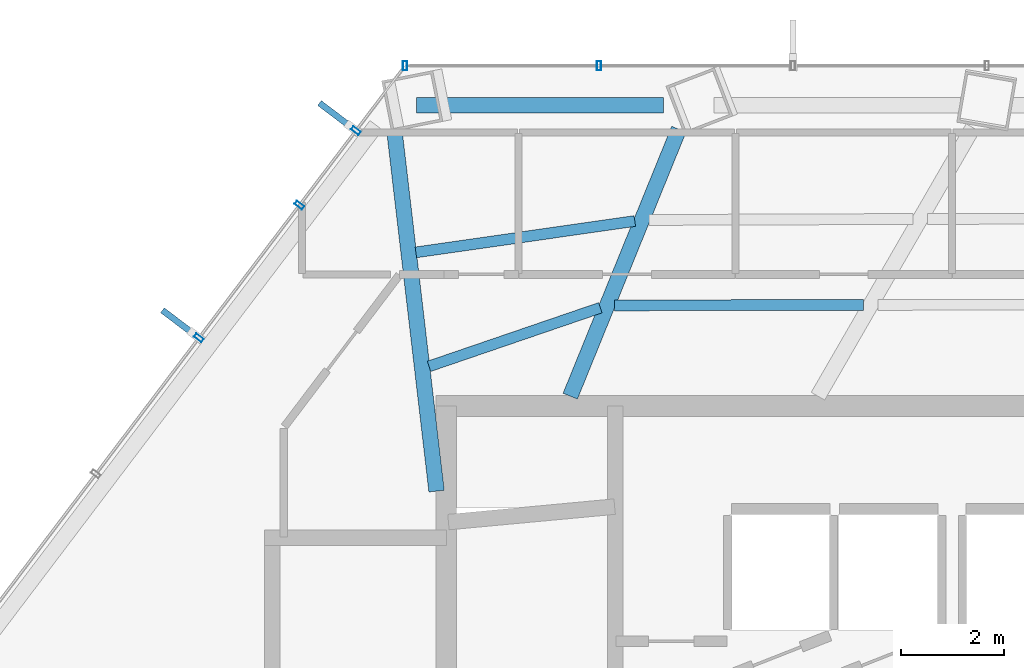
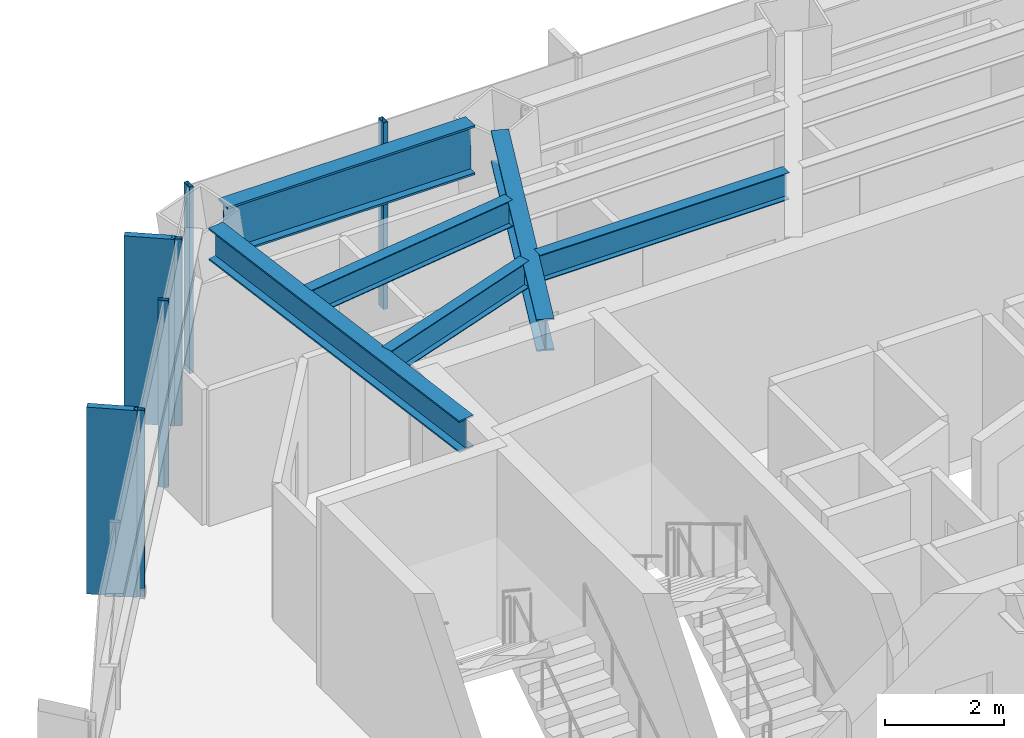
# One storey, part 14 of 27: 7 members, 6 beams, 2 elements without a shape of their own.
"""IFC4 building model written with IfcOpenShell, lengths in metres."""

from ifc_helpers import new_model, si_unit, direction, frame, origin, origin_2d, place, context, subcontext, project, spatial, rectangle, hollow_rectangle, i_section, extrude, material, layer, layer_set, material_profile, profile_set, type_object, element, aggregate, save


model = new_model("IFC4")

# Units and contexts
model_context = context("Model", 3, precision=1e-05, world=origin(), true_north=direction((0.0, 1.0)))
body_context = subcontext(model_context, "Body", "Model", "MODEL_VIEW")
ifc_project = project(units=[si_unit("LENGTHUNIT", "METRE"), si_unit("AREAUNIT", "SQUARE_METRE"), si_unit("VOLUMEUNIT", "CUBIC_METRE"), si_unit("PLANEANGLEUNIT", "RADIAN"), si_unit("MASSUNIT", "GRAM", prefix="KILO")], contexts=[model_context])

# Site, building, storey
site_placement = place(None, origin())
site = spatial("IfcSite", under=ifc_project, at=site_placement, CompositionType="ELEMENT")
building_placement = place(site_placement, origin())
building = spatial("IfcBuilding", under=site, at=building_placement, Name="Zarrinselat Tower", CompositionType="ELEMENT")
storey_placement = place(building_placement, frame((0.0, 0.0, 47.93994140625)))
storey = spatial("IfcBuildingStorey", under=building, at=storey_placement, Name="L11", CompositionType="ELEMENT", Elevation=47.93994140625)

# Beams
ifc_material_1 = material(Name="Steel S355J2", Category="steel")
ifc_material_profile_1 = material_profile(ifc_material_1, i_section(OverallWidth=0.300048828125, OverallDepth=0.64990234375, WebThickness=0.01611328125, FlangeThickness=0.031005859375, at=origin_2d()), Name="HEB 650")
ifc_profile_set_1 = profile_set([ifc_material_profile_1], Name="Steel S355J2")
beam_type_1 = type_object("IfcBeamType", Name="BM-HEB650", PredefinedType="BEAM", material=ifc_profile_set_1)
beam_1_placement = place(storey_placement, frame((31.0, 43.639892578125, 3.4951171875), z_axis=(0.376953879206, 0.926232029759, 0.0), x_axis=(-0.926232029759, 0.376953879206, 0.0)))
element("IfcBeam", 1, at=beam_1_placement, inside=storey, type_object=beam_type_1, Name="L11 Radial Primary Girder RG04", PredefinedType="BEAM", context=body_context, shape_type="SweptSolid", body=[
    extrude(i_section(OverallWidth=0.300048828125, OverallDepth=0.64990234375, WebThickness=0.01611328125, FlangeThickness=0.031005859375, at=origin_2d()), origin(), (0.0, 0.0, 1.0), 5.584716796875),
])
beam_2_placement = place(storey_placement, frame((27.593017578125, 48.779296875, 3.4951171875), z_axis=(0.116252599086, -0.993219680235, 0.0), x_axis=(0.993219680235, 0.116252599086, 0.0)))
element("IfcBeam", 2, at=beam_2_placement, inside=storey, type_object=beam_type_1, Name="L11 Radial Primary Girder RG05", PredefinedType="BEAM", context=body_context, shape_type="SweptSolid", body=[
    extrude(i_section(OverallWidth=0.300048828125, OverallDepth=0.64990234375, WebThickness=0.01611328125, FlangeThickness=0.031005859375, at=origin_2d()), origin(), (0.0, 0.0, 1.0), 7.02685546875),
])
ifc_material_2 = material(Name="Steel S460M", Category="steel")
ifc_material_profile_2 = material_profile(ifc_material_2, i_section(OverallWidth=0.302001953125, OverallDepth=1.008056640625, WebThickness=0.02099609375, FlangeThickness=0.0400390625, at=origin_2d()), Name="HEM 1000")
ifc_profile_set_2 = profile_set([ifc_material_profile_2], Name="Steel S460M")
beam_type_2 = type_object("IfcBeamType", Name="BM-HEM1000", PredefinedType="BEAM", material=ifc_profile_set_2)
beam_3_placement = place(storey_placement, frame((28.0224609375, 49.27783203125, 3.316162109375), z_axis=(1.0, 0.0, 0.0), x_axis=(0.0, 1.0, 0.0)))
element("IfcBeam", 3, at=beam_3_placement, inside=storey, type_object=beam_type_2, Name="L11 Perimeter Spandrel Girder SP04", PredefinedType="BEAM", context=body_context, shape_type="SweptSolid", body=[
    extrude(i_section(OverallWidth=0.302001953125, OverallDepth=1.008056640625, WebThickness=0.02099609375, FlangeThickness=0.0400390625, at=origin_2d()), origin(), (0.0, 0.0, 1.0), 4.783935546875),
])
ifc_material_3 = material(Name="Steel S355J2", Category="steel")
ifc_material_profile_3 = material_profile(ifc_material_3, i_section(OverallWidth=0.2099609375, OverallDepth=0.550048828125, WebThickness=0.010986328125, FlangeThickness=0.01708984375, at=origin_2d()), Name="IPE 550")
ifc_profile_set_3 = profile_set([ifc_material_profile_3], Name="Steel S355J2")
beam_type_3 = type_object("IfcBeamType", Name="BM-IPE550", PredefinedType="JOIST", material=ifc_profile_set_3)
beam_4_placement = place(storey_placement, frame((31.855712890625, 45.39892578125, 3.545166015625), z_axis=(0.999997952165, 0.002023775264, 0.0), x_axis=(-0.002023775264, 0.999997952165, 0.0)))
element("IfcBeam", 4, at=beam_4_placement, inside=storey, type_object=beam_type_3, Name="L11 Composite Floor Joist 9-2", PredefinedType="JOIST", context=body_context, shape_type="SweptSolid", body=[
    extrude(i_section(OverallWidth=0.2099609375, OverallDepth=0.550048828125, WebThickness=0.010986328125, FlangeThickness=0.01708984375, at=origin_2d()), origin(), (0.0, 0.0, 1.0), 4.825439453125),
])
beam_5_placement = place(storey_placement, frame((28.00927734375, 46.426025390625, 3.545166015625), z_axis=(0.989876430356, 0.141931859093, 0.0), x_axis=(-0.141931859093, 0.989876430356, 0.0)))
element("IfcBeam", 5, at=beam_5_placement, inside=storey, type_object=beam_type_3, Name="L11 Composite Floor Joist 10-1", PredefinedType="JOIST", context=body_context, shape_type="SweptSolid", body=[
    extrude(i_section(OverallWidth=0.2099609375, OverallDepth=0.550048828125, WebThickness=0.010986328125, FlangeThickness=0.01708984375, at=origin_2d()), origin(), (0.0, 0.0, 1.0), 4.284912109375),
])
beam_6_placement = place(storey_placement, frame((28.2646484375, 44.21826171875, 3.545166015625), z_axis=(0.946169033833, 0.323672920424, 0.0), x_axis=(-0.323672920424, 0.946169033833, 0.0)))
element("IfcBeam", 6, at=beam_6_placement, inside=storey, type_object=beam_type_3, Name="L11 Composite Floor Joist 10-2", PredefinedType="JOIST", context=body_context, shape_type="SweptSolid", body=[
    extrude(i_section(OverallWidth=0.2099609375, OverallDepth=0.550048828125, WebThickness=0.010986328125, FlangeThickness=0.01708984375, at=origin_2d()), origin(), (0.0, 0.0, 1.0), 3.50732421875),
])

# Curtain wall, members
ifc_material_4 = material(Name="Extruded Aluminium Alloy EN AW-6063 T6", Category="aluminium")
ifc_layer = layer(ifc_material_4, 0.18505859375)
ifc_layer_set = layer_set([ifc_layer], Name="Extruded Aluminium Alloy EN AW-6063 T6")
curtain_wall_type = type_object("IfcCurtainWallType", Name="CWS-OFF", PredefinedType="NOTDEFINED", material=ifc_layer_set)
curtain_wall_1_placement = place(storey_placement, origin())
curtain_wall_1 = element("IfcCurtainWall", 7, at=curtain_wall_1_placement, inside=storey, type_object=curtain_wall_type, Name="L11 Unitised Curtain Wall CW-L11-E01", PredefinedType="NOTDEFINED")
ifc_material_5 = material(Name="Extruded Aluminium Alloy EN AW-6063 T6", Category="aluminium")
ifc_material_profile_4 = material_profile(ifc_material_5, hollow_rectangle(XDim=0.080078125, YDim=0.179931640625, WallThickness=0.0048828125, at=origin_2d()), Name="RHS 180x80x5")
ifc_profile_set_4 = profile_set([ifc_material_profile_4], Name="Extruded Aluminium Alloy EN AW-6063 T6")
member_type_1 = type_object("IfcMemberType", Name="MEM-CW-MUL", PredefinedType="MULLION", material=ifc_profile_set_4)
member_1_placement = place(storey_placement, frame((31.5576171875, 50.04443359375, 0.0), z_axis=(0.0, 0.0, 1.0), x_axis=(-1.0, 0.0, 0.0)))
member_1 = element("IfcMember", 8, at=member_1_placement, type_object=member_type_1, Name="CW-L11-E01 Mullion 6", PredefinedType="MULLION", context=body_context, shape_type="SweptSolid", body=[
    extrude(hollow_rectangle(XDim=0.080078125, YDim=0.179931640625, WallThickness=0.0048828125, at=origin_2d()), origin(), (0.0, 0.0, 1.0), 3.820068359375),
])
member_2_placement = place(storey_placement, frame((27.799072265625, 50.04443359375, 0.0), z_axis=(0.0, 0.0, 1.0), x_axis=(-1.0, 0.0, 0.0)))
member_2 = element("IfcMember", 9, at=member_2_placement, type_object=member_type_1, Name="CW-L11-E01 Mullion 7", PredefinedType="MULLION", context=body_context, shape_type="SweptSolid", body=[
    extrude(hollow_rectangle(XDim=0.080078125, YDim=0.179931640625, WallThickness=0.0048828125, at=origin_2d()), origin(), (0.0, 0.0, 1.0), 3.820068359375),
])
aggregate(curtain_wall_1, [member_1, member_2])

curtain_wall_2_placement = place(storey_placement, origin())
curtain_wall_2 = element("IfcCurtainWall", 10, at=curtain_wall_2_placement, inside=storey, type_object=curtain_wall_type, Name="L11 Unitised Curtain Wall CW-L11-E02", PredefinedType="NOTDEFINED")
member_3_placement = place(storey_placement, frame((26.845947265625, 48.7861328125, 0.0), z_axis=(0.0, 0.0, 1.0), x_axis=(-0.603856912101, -0.797092735952, 0.0)))
member_3 = element("IfcMember", 11, at=member_3_placement, type_object=member_type_1, Name="CW-L11-E02 Mullion 1", PredefinedType="MULLION", context=body_context, shape_type="SweptSolid", body=[
    extrude(hollow_rectangle(XDim=0.080078125, YDim=0.179931640625, WallThickness=0.0048828125, at=origin_2d()), origin(), (0.0, 0.0, 1.0), 3.820068359375),
])
member_4_placement = place(storey_placement, frame((25.752197265625, 47.34228515625, 0.0), z_axis=(0.0, 0.0, 1.0), x_axis=(-0.603856912101, -0.797092735952, 0.0)))
member_4 = element("IfcMember", 12, at=member_4_placement, type_object=member_type_1, Name="CW-L11-E02 Mullion 2", PredefinedType="MULLION", context=body_context, shape_type="SweptSolid", body=[
    extrude(hollow_rectangle(XDim=0.080078125, YDim=0.179931640625, WallThickness=0.0048828125, at=origin_2d()), origin(), (0.0, 0.0, 1.0), 3.820068359375),
])
member_5_placement = place(storey_placement, frame((23.80322265625, 44.77001953125, 0.0), z_axis=(0.0, 0.0, 1.0), x_axis=(-0.603856912101, -0.797092735952, 0.0)))
member_5 = element("IfcMember", 13, at=member_5_placement, type_object=member_type_1, Name="CW-L11-E02 Mullion 3", PredefinedType="MULLION", context=body_context, shape_type="SweptSolid", body=[
    extrude(hollow_rectangle(XDim=0.080078125, YDim=0.179931640625, WallThickness=0.0048828125, at=origin_2d()), origin(), (0.0, 0.0, 1.0), 3.820068359375),
])
ifc_material_6 = material(Name="Honed Cream Travertine Stone", Category="masonry")
ifc_material_profile_5 = material_profile(ifc_material_6, rectangle(XDim=0.1201171875, YDim=0.85009765625, at=origin_2d()), Name="FIN 850x120")
ifc_profile_set_5 = profile_set([ifc_material_profile_5], Name="Honed Cream Travertine Stone")
member_type_2 = type_object("IfcMemberType", Name="MEM-STONE-FIN", PredefinedType="USERDEFINED", material=ifc_profile_set_5)
member_6_placement = place(storey_placement, frame((26.479248046875, 49.06396484375, 0.0), z_axis=(0.0, 0.0, 1.0), x_axis=(0.603856912101, 0.797092735952, 0.0)))
member_6 = element("IfcMember", 14, at=member_6_placement, type_object=member_type_2, Name="L11 Stone Shading Fin CW-L11-E02-01", ObjectType="FIN", PredefinedType="USERDEFINED", context=body_context, shape_type="SweptSolid", body=[
    extrude(rectangle(XDim=0.1201171875, YDim=0.85009765625, at=origin_2d()), origin(), (0.0, 0.0, 1.0), 3.820068359375),
])
member_7_placement = place(storey_placement, frame((23.4365234375, 45.047607421875, 0.0), z_axis=(0.0, 0.0, 1.0), x_axis=(0.603856912101, 0.797092735952, 0.0)))
member_7 = element("IfcMember", 15, at=member_7_placement, type_object=member_type_2, Name="L11 Stone Shading Fin CW-L11-E02-03", ObjectType="FIN", PredefinedType="USERDEFINED", context=body_context, shape_type="SweptSolid", body=[
    extrude(rectangle(XDim=0.1201171875, YDim=0.85009765625, at=origin_2d()), origin(), (0.0, 0.0, 1.0), 3.820068359375),
])
aggregate(curtain_wall_2, [member_3, member_6, member_4, member_5, member_7])

save(model, "model.ifc")
